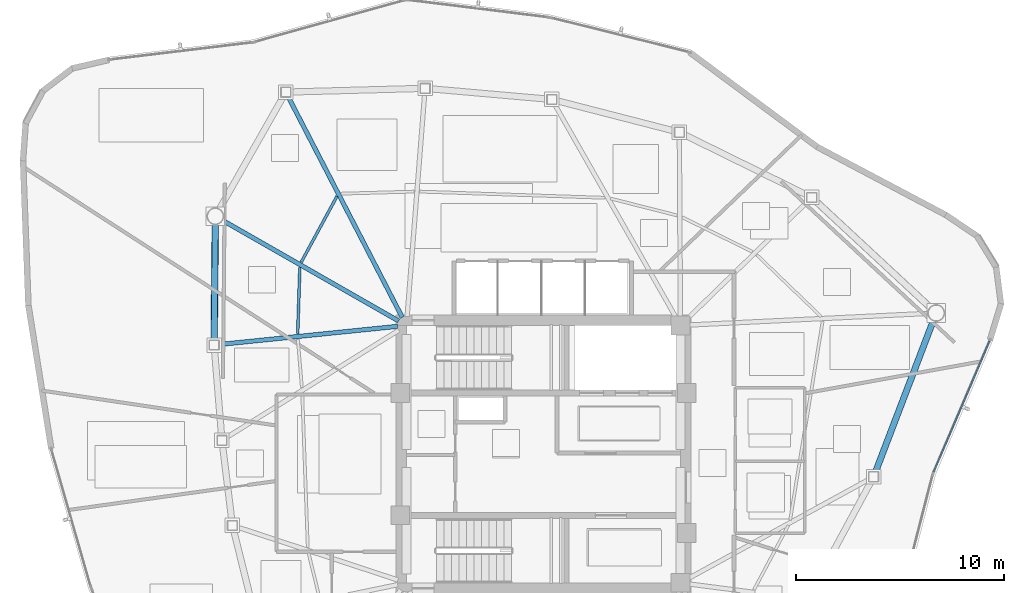
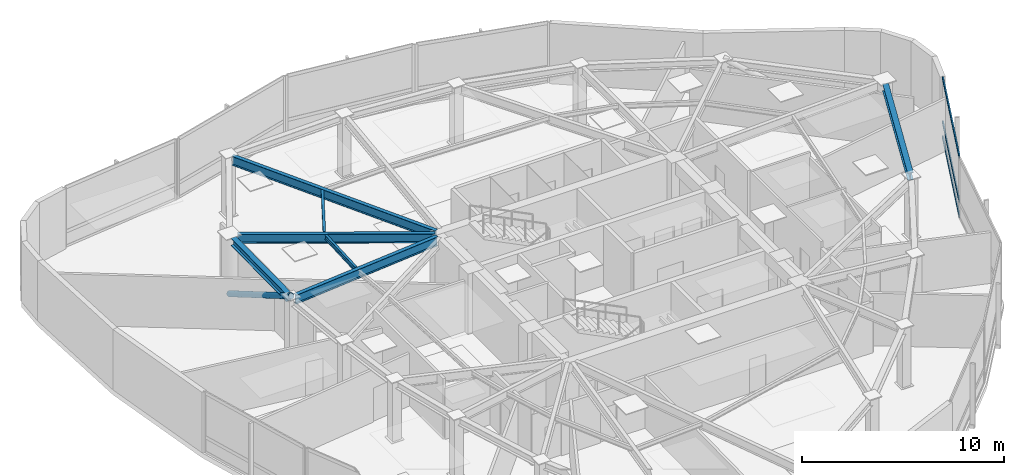
# One storey, part 5 of 14: 7 beams, 4 members, 1 element without a shape of its own.
"""IFC4 building model written with IfcOpenShell, lengths in metres."""

from ifc_helpers import new_model, si_unit, direction, frame, origin, origin_2d, place, context, subcontext, project, spatial, hollow_rectangle, hollow_circle, i_section, extrude, source, transform, mapped, material, layer, layer_set, material_profile, profile_set, type_object, type_shapes, element, aggregate, save


model = new_model("IFC4")

# Units and contexts
model_context = context("Model", 3, precision=1e-05, world=origin(), true_north=direction((0.0, 1.0)))
body_context = subcontext(model_context, "Body", "Model", "MODEL_VIEW")
ifc_project = project(units=[si_unit("LENGTHUNIT", "METRE"), si_unit("AREAUNIT", "SQUARE_METRE"), si_unit("VOLUMEUNIT", "CUBIC_METRE"), si_unit("PLANEANGLEUNIT", "RADIAN"), si_unit("MASSUNIT", "GRAM", prefix="KILO")], contexts=[model_context])

# Site, building, storey
site_placement = place(None, origin())
site = spatial("IfcSite", under=ifc_project, at=site_placement, CompositionType="ELEMENT")
building_placement = place(site_placement, origin())
building = spatial("IfcBuilding", under=site, at=building_placement, Name="Tavelor Broadcast Tower", CompositionType="ELEMENT")
storey_placement = place(building_placement, frame((0.0, 0.0, 249.800048828125)))
storey = spatial("IfcBuildingStorey", under=building, at=storey_placement, Name="L59", CompositionType="ELEMENT", Elevation=249.800048828125)

# Beams
ifc_material_1 = material(Name="Steel S355", Category="steel")
ifc_material_profile_1 = material_profile(ifc_material_1, i_section(OverallWidth=0.135009765625, OverallDepth=0.27001953125, WebThickness=0.006591796875, FlangeThickness=0.01025390625, at=origin_2d()), Name="IPE 270")
ifc_profile_set_1 = profile_set([ifc_material_profile_1], Name="Steel S355")
beam_type_1 = type_object("IfcBeamType", Name="Composite Floor Joist T6 IPE 270", PredefinedType="JOIST", material=ifc_profile_set_1)
beam_1_placement = place(storey_placement, frame((38.266357421875, 53.997314453125, 3.514892578125), z_axis=(-0.03266180387, -0.999466460952, 0.0), x_axis=(0.999466460952, -0.03266180387, 0.0)))
element("IfcBeam", 1, at=beam_1_placement, inside=storey, type_object=beam_type_1, Name="L59 Secondary Composite Floor Joist 01", PredefinedType="JOIST", context=body_context, shape_type="SweptSolid", body=[
    extrude(i_section(OverallWidth=0.135009765625, OverallDepth=0.27001953125, WebThickness=0.006591796875, FlangeThickness=0.01025390625, at=origin_2d()), origin(), (0.0, 0.0, 1.0), 3.19921875),
])
beam_2_placement = place(storey_placement, frame((40.057373046875, 57.42529296875, 3.514892578125), z_axis=(-0.476805519493, -0.879008814848, 0.0), x_axis=(0.879008814848, -0.476805519493, 0.0)))
element("IfcBeam", 2, at=beam_2_placement, inside=storey, type_object=beam_type_1, Name="L59 Secondary Composite Floor Joist 18", PredefinedType="JOIST", context=body_context, shape_type="SweptSolid", body=[
    extrude(i_section(OverallWidth=0.135009765625, OverallDepth=0.27001953125, WebThickness=0.006591796875, FlangeThickness=0.01025390625, at=origin_2d()), origin(), (0.0, 0.0, 1.0), 3.61279296875),
])
ifc_material_profile_2 = material_profile(ifc_material_1, i_section(OverallWidth=0.300048828125, OverallDepth=0.449951171875, WebThickness=0.013916015625, FlangeThickness=0.02587890625, at=origin_2d()), Name="HEB 450")
ifc_profile_set_2 = profile_set([ifc_material_profile_2], Name="Steel S355")
beam_type_2 = type_object("IfcBeamType", Name="Perimeter Spandrel Beam T6 HEB 450", PredefinedType="SPANDREL", material=ifc_profile_set_2)
beam_3_placement = place(storey_placement, frame((34.192626953125, 56.069580078125, 3.425048828125), z_axis=(-0.009548403943, -0.999954412952, 0.0), x_axis=(0.999954412952, -0.009548403943, 0.0)))
element("IfcBeam", 3, at=beam_3_placement, inside=storey, type_object=beam_type_2, Name="L59 Framed-Tube Ring Spandrel 01", PredefinedType="SPANDREL", context=body_context, shape_type="SweptSolid", body=[
    extrude(i_section(OverallWidth=0.300048828125, OverallDepth=0.449951171875, WebThickness=0.013916015625, FlangeThickness=0.02587890625, at=origin_2d()), origin(), (0.0, 0.0, 1.0), 5.573974609375),
])
beam_4_placement = place(storey_placement, frame((65.992919921875, 44.133544921875, 3.425048828125), z_axis=(0.356694129759, 0.934221225297, 0.0), x_axis=(-0.934221225297, 0.356694129759, 0.0)))
element("IfcBeam", 4, at=beam_4_placement, inside=storey, type_object=beam_type_2, Name="L59 Framed-Tube Ring Spandrel 12", PredefinedType="SPANDREL", context=body_context, shape_type="SweptSolid", body=[
    extrude(i_section(OverallWidth=0.300048828125, OverallDepth=0.449951171875, WebThickness=0.013916015625, FlangeThickness=0.02587890625, at=origin_2d()), origin(), (0.0, 0.0, 1.0), 7.815185546875),
])

# Member
ifc_material_profile_3 = material_profile(ifc_material_1, hollow_circle(Radius=0.161865234375, WallThickness=0.01611328125, at=origin_2d()), Name="CHS 323.9x16")
ifc_profile_set_3 = profile_set([ifc_material_profile_3], Name="Steel S355")
member_type_1 = type_object("IfcMemberType", Name="Perimeter Tube Brace T6 CHS 323.9x16", PredefinedType="BRACE", material=ifc_profile_set_3)
member_1_placement = place(storey_placement, frame((34.1962890625, 56.4599609375, 0.0), z_axis=(-0.008207725636, -0.861879024195, 0.507047513447), x_axis=(0.999954658748, -0.009522628184, 0.0)))
element("IfcMember", 5, at=member_1_placement, inside=storey, type_object=member_type_1, Name="L59 Corner Tube Diagonal Brace 1", PredefinedType="BRACE", context=body_context, shape_type="SweptSolid", body=[
    extrude(hollow_circle(Radius=0.161865234375, WallThickness=0.01611328125, at=origin_2d()), origin(), (0.0, 0.0, 1.0), 7.1982421875),
])

# Beams
ifc_material_profile_4 = material_profile(ifc_material_1, i_section(OverallWidth=0.2099609375, OverallDepth=0.550048828125, WebThickness=0.010986328125, FlangeThickness=0.01708984375, at=origin_2d()), Name="IPE 550")
ifc_profile_set_4 = profile_set([ifc_material_profile_4], Name="Steel S355")
beam_type_3 = type_object("IfcBeamType", Name="Radial Floor Girder T6 IPE 550", PredefinedType="BEAM", material=ifc_profile_set_4)
beam_5_placement = place(storey_placement, frame((43.02490234375, 51.414306640625, 3.375), z_axis=(-0.868209338365, 0.496198090259, 0.0), x_axis=(-0.496198090259, -0.868209338365, 0.0)))
element("IfcBeam", 6, at=beam_5_placement, inside=storey, type_object=beam_type_3, Name="L59 Radial Primary Floor Girder 01", PredefinedType="BEAM", context=body_context, shape_type="SweptSolid", body=[
    extrude(i_section(OverallWidth=0.2099609375, OverallDepth=0.550048828125, WebThickness=0.010986328125, FlangeThickness=0.01708984375, at=origin_2d()), origin(), (0.0, 0.0, 1.0), 9.778564453125),
])
beam_6_placement = place(storey_placement, frame((42.97021484375, 51.15625, 3.375), z_axis=(-0.994845668858, -0.101400666436, 0.0), x_axis=(0.101400666436, -0.994845668858, 0.0)))
element("IfcBeam", 7, at=beam_6_placement, inside=storey, type_object=beam_type_3, Name="L59 Radial Primary Floor Girder 02", PredefinedType="BEAM", context=body_context, shape_type="SweptSolid", body=[
    extrude(i_section(OverallWidth=0.2099609375, OverallDepth=0.550048828125, WebThickness=0.010986328125, FlangeThickness=0.01708984375, at=origin_2d()), origin(), (0.0, 0.0, 1.0), 8.638671875),
])
beam_7_placement = place(storey_placement, frame((43.20166015625, 51.583740234375, 3.375), z_axis=(-0.459156775605, 0.888355252934, 0.0), x_axis=(-0.888355252934, -0.459156775605, 0.0)))
element("IfcBeam", 8, at=beam_7_placement, inside=storey, type_object=beam_type_3, Name="L59 Radial Primary Floor Girder 18", PredefinedType="BEAM", context=body_context, shape_type="SweptSolid", body=[
    extrude(i_section(OverallWidth=0.2099609375, OverallDepth=0.550048828125, WebThickness=0.010986328125, FlangeThickness=0.01708984375, at=origin_2d()), origin(), (0.0, 0.0, 1.0), 11.9794921875),
])

# Curtain wall, members
ifc_material_2 = material(Name="Architectural Anodized Aluminium", Category="aluminium")
ifc_layer = layer(ifc_material_2, 0.199951171875)
ifc_layer_set = layer_set([ifc_layer], Name="Architectural Anodized Aluminium")
curtain_wall_type = type_object("IfcCurtainWallType", Name="Tower High-Zone Triple-Glazed Curtain Wall CW04", PredefinedType="NOTDEFINED", material=ifc_layer_set)
curtain_wall_placement = place(storey_placement, origin())
curtain_wall = element("IfcCurtainWall", 9, at=curtain_wall_placement, inside=storey, type_object=curtain_wall_type, Name="L59 Curtain Wall CW04 Run 644", PredefinedType="NOTDEFINED")
ifc_material_profile_5 = material_profile(ifc_material_2, hollow_rectangle(XDim=0.070068359375, YDim=0.199951171875, WallThickness=0.02197265625, at=origin_2d()), Name="RHS 70x200x22")
ifc_profile_set_5 = profile_set([ifc_material_profile_5], Name="Architectural Anodized Aluminium")
member_type_2 = type_object("IfcMemberType", Name="CW04 Extruded Aluminium Transom 70x200", PredefinedType="USERDEFINED", material=ifc_profile_set_5)
shared_shape = source(origin(), body_context, "Body", "SweptSolid", [
    extrude(hollow_rectangle(XDim=0.070068359375, YDim=0.199951171875, WallThickness=0.02197265625, at=origin_2d()), origin(), (0.0, 0.0, 1.0), 6.848388671875),
])
type_shapes(member_type_2, [shared_shape])
member_2_placement = place(storey_placement, frame((68.800048828125, 44.14990234375, 0.034912109375), z_axis=(0.392718546744, 0.91965871009, 0.0), x_axis=(-0.91965871009, 0.392718546744, 0.0)))
member_2 = element("IfcMember", 10, at=member_2_placement, type_object=member_type_2, Name="CW04 transom 1.1", ObjectType="TRANSOM", PredefinedType="USERDEFINED", context=body_context, shape_type="MappedRepresentation", body=[
    mapped(shared_shape, transform((0.0, 0.0, 0.0), scale=1.0)),
])
member_3_placement = place(storey_placement, frame((68.800048828125, 44.14990234375, 0.949951171875), z_axis=(0.392718546744, 0.91965871009, 0.0), x_axis=(-0.91965871009, 0.392718546744, 0.0)))
member_3 = element("IfcMember", 11, at=member_3_placement, type_object=member_type_2, Name="CW04 transom 1.2", ObjectType="TRANSOM", PredefinedType="USERDEFINED", context=body_context, shape_type="MappedRepresentation", body=[
    mapped(shared_shape, transform((0.0, 0.0, 0.0), scale=1.0)),
])
member_4_placement = place(storey_placement, frame((68.800048828125, 44.14990234375, 3.614990234375), z_axis=(0.392718546744, 0.91965871009, 0.0), x_axis=(-0.91965871009, 0.392718546744, 0.0)))
member_4 = element("IfcMember", 12, at=member_4_placement, type_object=member_type_2, Name="CW04 transom 1.3", ObjectType="TRANSOM", PredefinedType="USERDEFINED", context=body_context, shape_type="MappedRepresentation", body=[
    mapped(shared_shape, transform((0.0, 0.0, 0.0), scale=1.0)),
])
aggregate(curtain_wall, [member_2, member_3, member_4])

save(model, "model.ifc")
